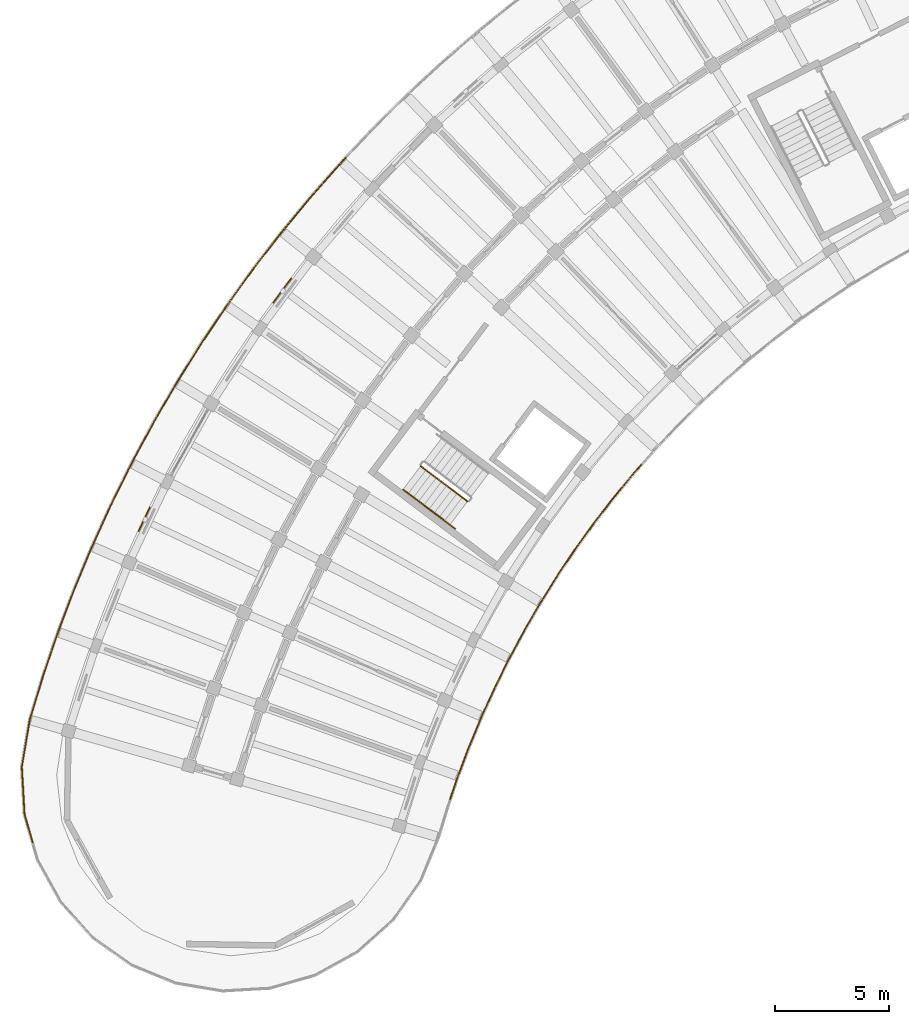
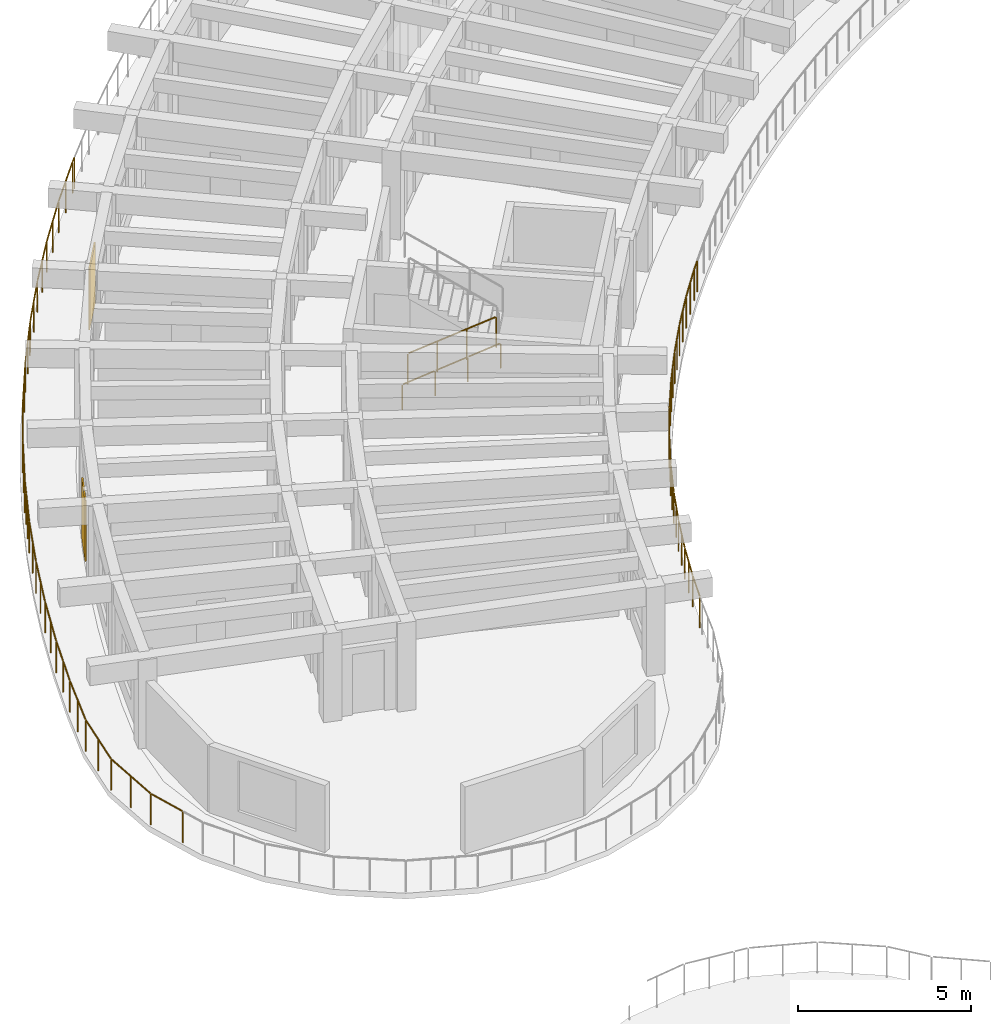
# One storey, part 66 of 78: 10 railings, 2 shading devices.
"""IFC4 building model written with IfcOpenShell, lengths in metres."""

from ifc_helpers import new_model, si_unit, direction, frame, origin, origin_2d, place, context, subcontext, project, spatial, rectangle, circle, extrude, material, layer, layer_set, type_object, element, save


model = new_model("IFC4")

# Units and contexts
model_context = context("Model", 3, precision=1e-05, world=origin(), true_north=direction((0.0, 1.0)))
body_context = subcontext(model_context, "Body", "Model", "MODEL_VIEW")
ifc_project = project(units=[si_unit("LENGTHUNIT", "METRE"), si_unit("AREAUNIT", "SQUARE_METRE"), si_unit("VOLUMEUNIT", "CUBIC_METRE"), si_unit("PLANEANGLEUNIT", "RADIAN"), si_unit("MASSUNIT", "GRAM", prefix="KILO")], contexts=[model_context])

# Site, building, storey
site_placement = place(None, origin())
site = spatial("IfcSite", under=ifc_project, at=site_placement, CompositionType="ELEMENT")
building_placement = place(site_placement, origin())
building = spatial("IfcBuilding", under=site, at=building_placement, Name="Tanwirah Colonnade Gardens", CompositionType="ELEMENT")
storey_placement = place(building_placement, frame((0.0, 0.0, 22.280029296875)))
storey = spatial("IfcBuildingStorey", under=building, at=storey_placement, Name="L06", CompositionType="ELEMENT", Elevation=22.280029296875)

# Railings
ifc_material_1 = material(Name="Precast concrete C40/50", Category="concrete")
railing_type_1 = type_object("IfcRailingType", Name="BAL-EXT112", PredefinedType="BALUSTRADE", material=ifc_material_1)
railing_1_placement = place(storey_placement, frame((32.869384765625, 88.28515625, 0.0)))
element("IfcRailing", 1, at=railing_1_placement, inside=storey, type_object=railing_type_1, Name="Block A L06 Balcony Ribbon Balustrade 5", PredefinedType="BALUSTRADE", context=body_context, shape_type="SweptSolid", body=[
    extrude(circle(Radius=0.02392578125, at=origin_2d()), frame((-0.020751953125, -0.0234375, 1.09619140625), z_axis=(-0.662562077046, -0.749007005348, 0.0), x_axis=(0.749007005348, -0.662562077046, 0.0)), (0.0, 0.0, 1.0), 0.3837890625),
    extrude(circle(Radius=0.02392578125, at=origin_2d()), frame((-0.3173828125, -0.3603515625, 1.09619140625), z_axis=(-0.637581943595, -0.770382544715, 0.0), x_axis=(0.770382544715, -0.637581943595, 0.0)), (0.0, 0.0, 1.0), 1.342041015625),
    extrude(circle(Radius=0.02392578125, at=origin_2d()), frame((-1.213623046875, -1.44482421875, 1.09619140625), z_axis=(-0.611783903817, -0.791024939576, 0.0), x_axis=(0.791024939576, -0.611783903817, 0.0)), (0.0, 0.0, 1.0), 1.341796875),
    extrude(circle(Radius=0.02392578125, at=origin_2d()), frame((-2.073486328125, -2.55859375, 1.09619140625), z_axis=(-0.585522290474, -0.810656306556, 0.0), x_axis=(0.810656306556, -0.585522290474, 0.0)), (0.0, 0.0, 1.0), 1.341796875),
    extrude(circle(Radius=0.02392578125, at=origin_2d()), frame((-2.896484375, -3.69970703125, 1.09619140625), z_axis=(-0.558385571779, -0.829581553091, 0.0), x_axis=(0.829581553091, -0.558385571779, 0.0)), (0.0, 0.0, 1.0), 1.341796875),
    extrude(circle(Radius=0.02392578125, at=origin_2d()), frame((-3.68115234375, -4.86767578125, 1.09619140625), z_axis=(-0.530764445851, -0.847519382091, 0.0), x_axis=(0.847519382091, -0.530764445851, 0.0)), (0.0, 0.0, 1.0), 1.341796875),
    extrude(circle(Radius=0.02392578125, at=origin_2d()), frame((-4.427001953125, -6.060546875, 1.09619140625), z_axis=(-0.502361540351, -0.864657667968, 0.0), x_axis=(0.864657667968, -0.502361540351, 0.0)), (0.0, 0.0, 1.0), 0.95361328125),
    extrude(circle(Radius=0.02099609375, at=origin_2d()), origin(), (0.0, 0.0, 1.0), 1.069091796875),
    extrude(circle(Radius=0.02099609375, at=origin_2d()), frame((-0.295654296875, -0.334228515625, 0.0)), (0.0, 0.0, 1.0), 1.069091796875),
    extrude(circle(Radius=0.02099609375, at=origin_2d()), frame((-0.7451171875, -0.877197265625, 0.0)), (0.0, 0.0, 1.0), 1.069091796875),
    extrude(circle(Radius=0.02099609375, at=origin_2d()), frame((-1.19287109375, -1.418212890625, 0.0)), (0.0, 0.0, 1.0), 1.069091796875),
    extrude(circle(Radius=0.02099609375, at=origin_2d()), frame((-1.6240234375, -1.9755859375, 0.0)), (0.0, 0.0, 1.0), 1.069091796875),
    extrude(circle(Radius=0.02099609375, at=origin_2d()), frame((-2.0537109375, -2.531005859375, 0.0)), (0.0, 0.0, 1.0), 1.069091796875),
    extrude(circle(Radius=0.02099609375, at=origin_2d()), frame((-2.46630859375, -3.1025390625, 0.0)), (0.0, 0.0, 1.0), 1.069091796875),
    extrude(circle(Radius=0.02099609375, at=origin_2d()), frame((-2.87744140625, -3.671630859375, 0.0)), (0.0, 0.0, 1.0), 1.069091796875),
    extrude(circle(Radius=0.02099609375, at=origin_2d()), frame((-3.27099609375, -4.25634765625, 0.0)), (0.0, 0.0, 1.0), 1.069091796875),
    extrude(circle(Radius=0.02099609375, at=origin_2d()), frame((-3.6630859375, -4.8388671875, 0.0)), (0.0, 0.0, 1.0), 1.069091796875),
    extrude(circle(Radius=0.02099609375, at=origin_2d()), frame((-4.037109375, -5.43603515625, 0.0)), (0.0, 0.0, 1.0), 1.069091796875),
    extrude(circle(Radius=0.02099609375, at=origin_2d()), frame((-4.409912109375, -6.03125, 0.0)), (0.0, 0.0, 1.0), 1.069091796875),
    extrude(circle(Radius=0.02099609375, at=origin_2d()), frame((-4.921875, -6.912109375, 0.0)), (0.0, 0.0, 1.0), 1.069091796875),
])
railing_2_placement = place(storey_placement, frame((27.947509765625, 81.373046875, 0.0)))
element("IfcRailing", 2, at=railing_2_placement, inside=storey, type_object=railing_type_1, Name="Block A L06 Balcony Ribbon Balustrade 6", PredefinedType="BALUSTRADE", context=body_context, shape_type="SweptSolid", body=[
    extrude(circle(Radius=0.02392578125, at=origin_2d()), frame((-0.015625, -0.027099609375, 1.09619140625), z_axis=(-0.502423717067, -0.864621540634, 0.0), x_axis=(0.864621540634, -0.502423717067, 0.0)), (0.0, 0.0, 1.0), 0.32568359375),
    extrude(circle(Radius=0.02392578125, at=origin_2d()), frame((-0.211181640625, -0.365478515625, 1.09619140625), z_axis=(-0.473716211853, -0.880677552018, 0.0), x_axis=(0.880677552018, -0.473716211853, 0.0)), (0.0, 0.0, 1.0), 1.341796875),
    extrude(circle(Radius=0.02392578125, at=origin_2d()), frame((-0.876708984375, -1.60498046875, 1.09619140625), z_axis=(-0.444499692011, -0.895779003885, 0.0), x_axis=(0.895779003885, -0.444499692011, 0.0)), (0.0, 0.0, 1.0), 1.341796875),
    extrude(circle(Radius=0.02392578125, at=origin_2d()), frame((-1.501220703125, -2.865966796875, 1.09619140625), z_axis=(-0.414654197084, -0.909979063957, 0.0), x_axis=(0.909979063957, -0.414654197084, 0.0)), (0.0, 0.0, 1.0), 1.341796875),
    extrude(circle(Radius=0.02392578125, at=origin_2d()), frame((-2.08349609375, -4.146484375, 1.09619140625), z_axis=(-0.384541319971, -0.923107779858, 0.0), x_axis=(0.923107779858, -0.384541319971, 0.0)), (0.0, 0.0, 1.0), 1.341796875),
    extrude(circle(Radius=0.02392578125, at=origin_2d()), frame((-2.62353515625, -5.44580078125, 1.09619140625), z_axis=(-0.353789339155, -0.935325132508, 0.0), x_axis=(0.935325132508, -0.353789339155, 0.0)), (0.0, 0.0, 1.0), 1.341796875),
    extrude(circle(Radius=0.02392578125, at=origin_2d()), frame((-3.120361328125, -6.761962890625, 1.09619140625), z_axis=(-0.322900627553, -0.946432873862, 0.0), x_axis=(0.946432873862, -0.322900627553, 0.0)), (0.0, 0.0, 1.0), 1.011962890625),
    extrude(circle(Radius=0.02099609375, at=origin_2d()), origin(), (0.0, 0.0, 1.0), 1.069091796875),
    extrude(circle(Radius=0.02099609375, at=origin_2d()), frame((-0.195068359375, -0.335693359375, 0.0)), (0.0, 0.0, 1.0), 1.069091796875),
    extrude(circle(Radius=0.02099609375, at=origin_2d()), frame((-0.52880859375, -0.956298828125, 0.0)), (0.0, 0.0, 1.0), 1.069091796875),
    extrude(circle(Radius=0.02099609375, at=origin_2d()), frame((-0.861572265625, -1.57470703125, 0.0)), (0.0, 0.0, 1.0), 1.069091796875),
    extrude(circle(Radius=0.02099609375, at=origin_2d()), frame((-1.1748046875, -2.2060546875, 0.0)), (0.0, 0.0, 1.0), 1.069091796875),
    extrude(circle(Radius=0.02099609375, at=origin_2d()), frame((-1.487060546875, -2.8349609375, 0.0)), (0.0, 0.0, 1.0), 1.069091796875),
    extrude(circle(Radius=0.02099609375, at=origin_2d()), frame((-1.779296875, -3.476318359375, 0.0)), (0.0, 0.0, 1.0), 1.069091796875),
    extrude(circle(Radius=0.02099609375, at=origin_2d()), frame((-2.070556640625, -4.115234375, 0.0)), (0.0, 0.0, 1.0), 1.069091796875),
    extrude(circle(Radius=0.02099609375, at=origin_2d()), frame((-2.341552734375, -4.765869140625, 0.0)), (0.0, 0.0, 1.0), 1.069091796875),
    extrude(circle(Radius=0.02099609375, at=origin_2d()), frame((-2.611572265625, -5.4140625, 0.0)), (0.0, 0.0, 1.0), 1.069091796875),
    extrude(circle(Radius=0.02099609375, at=origin_2d()), frame((-2.86083984375, -6.0732421875, 0.0)), (0.0, 0.0, 1.0), 1.069091796875),
    extrude(circle(Radius=0.02099609375, at=origin_2d()), frame((-3.109375, -6.72998046875, 0.0)), (0.0, 0.0, 1.0), 1.069091796875),
    extrude(circle(Radius=0.02099609375, at=origin_2d()), frame((-3.457275390625, -7.749267578125, 0.0)), (0.0, 0.0, 1.0), 1.069091796875),
])
railing_3_placement = place(storey_placement, frame((6.184814453125, 71.72998046875, 0.0)))
element("IfcRailing", 3, at=railing_3_placement, inside=storey, type_object=railing_type_1, Name="Block A L06 Balcony Ribbon Balustrade 10", PredefinedType="BALUSTRADE", context=body_context, shape_type="SweptSolid", body=[
    extrude(circle(Radius=0.02392578125, at=origin_2d()), frame((-0.0087890625, 0.030029296875, 1.09619140625), z_axis=(-0.278016434724, 0.960576317646, 0.0), x_axis=(-0.960576317646, -0.278016434724, 0.0)), (0.0, 0.0, 1.0), 1.21875),
    extrude(circle(Radius=0.02392578125, at=origin_2d()), frame((-0.35791015625, 1.261962890625, 1.09619140625), z_axis=(-0.057322977065, 0.998355686266, 0.0), x_axis=(-0.998355686266, -0.057322977065, 0.0)), (0.0, 0.0, 1.0), 2.0244140625),
    extrude(circle(Radius=0.02392578125, at=origin_2d()), frame((-0.470703125, 3.344970703125, 1.09619140625), z_axis=(0.166292387508, 0.986076488847, 0.0), x_axis=(-0.986076488847, 0.166292387508, 0.0)), (0.0, 0.0, 1.0), 2.028076171875),
    extrude(circle(Radius=0.02392578125, at=origin_2d()), frame((-0.119140625, 5.405517578125, 1.09619140625), z_axis=(0.291363831298, 0.956612313224, 0.0), x_axis=(-0.956612313224, 0.291363831298, 0.0)), (0.0, 0.0, 1.0), 1.955078125),
    extrude(circle(Radius=0.02392578125, at=origin_2d()), frame((0.4697265625, 7.33544921875, 1.09619140625), z_axis=(0.322945869443, 0.946417437186, 0.0), x_axis=(-0.946417437186, 0.322945869443, 0.0)), (0.0, 0.0, 1.0), 0.961181640625),
    extrude(circle(Radius=0.02099609375, at=origin_2d()), origin(), (0.0, 0.0, 1.0), 1.069091796875),
    extrude(circle(Radius=0.02099609375, at=origin_2d()), frame((-0.356201171875, 1.230712890625, 0.0)), (0.0, 0.0, 1.0), 1.069091796875),
    extrude(circle(Radius=0.02099609375, at=origin_2d()), frame((-0.416015625, 2.2724609375, 0.0)), (0.0, 0.0, 1.0), 1.069091796875),
    extrude(circle(Radius=0.02099609375, at=origin_2d()), frame((-0.475830078125, 3.314208984375, 0.0)), (0.0, 0.0, 1.0), 1.069091796875),
    extrude(circle(Radius=0.02099609375, at=origin_2d()), frame((-0.302001953125, 4.344970703125, 0.0)), (0.0, 0.0, 1.0), 1.069091796875),
    extrude(circle(Radius=0.02099609375, at=origin_2d()), frame((-0.128173828125, 5.375732421875, 0.0)), (0.0, 0.0, 1.0), 1.069091796875),
    extrude(circle(Radius=0.02099609375, at=origin_2d()), frame((0.165771484375, 6.3408203125, 0.0)), (0.0, 0.0, 1.0), 1.069091796875),
    extrude(circle(Radius=0.02099609375, at=origin_2d()), frame((0.459716796875, 7.305908203125, 0.0)), (0.0, 0.0, 1.0), 1.069091796875),
    extrude(circle(Radius=0.02099609375, at=origin_2d()), frame((0.790283203125, 8.274658203125, 0.0)), (0.0, 0.0, 1.0), 1.069091796875),
])
railing_4_placement = place(storey_placement, frame((6.97509765625, 80.004638671875, 0.0)))
element("IfcRailing", 4, at=railing_4_placement, inside=storey, type_object=railing_type_1, Name="Block A L06 Balcony Ribbon Balustrade 11", PredefinedType="BALUSTRADE", context=body_context, shape_type="SweptSolid", body=[
    extrude(circle(Radius=0.02392578125, at=origin_2d()), frame((0.010009765625, 0.029541015625, 1.09619140625), z_axis=(0.322753642414, 0.946483008991, 0.0), x_axis=(-0.946483008991, 0.322753642414, 0.0)), (0.0, 0.0, 1.0), 0.935302734375),
    extrude(circle(Radius=0.02392578125, at=origin_2d()), frame((0.3330078125, 0.9736328125, 1.09619140625), z_axis=(0.353874964852, 0.935292739869, 0.0), x_axis=(-0.935292739869, 0.353874964852, 0.0)), (0.0, 0.0, 1.0), 1.958984375),
    extrude(circle(Radius=0.02392578125, at=origin_2d()), frame((1.04931640625, 2.86376953125, 1.09619140625), z_axis=(0.384409566544, 0.92316265368, 0.0), x_axis=(-0.92316265368, 0.384409566544, 0.0)), (0.0, 0.0, 1.0), 1.958984375),
    extrude(circle(Radius=0.02392578125, at=origin_2d()), frame((1.827392578125, 4.729736328125, 1.09619140625), z_axis=(0.414749084938, 0.909935820013, 0.0), x_axis=(-0.909935820013, 0.414749084938, 0.0)), (0.0, 0.0, 1.0), 1.958984375),
    extrude(circle(Radius=0.02392578125, at=origin_2d()), frame((2.666748046875, 6.568603515625, 1.09619140625), z_axis=(0.444426333087, 0.895815401999, 0.0), x_axis=(-0.895815401999, 0.444426333087, 0.0)), (0.0, 0.0, 1.0), 1.375),
    extrude(circle(Radius=0.02099609375, at=origin_2d()), origin(), (0.0, 0.0, 1.0), 1.069091796875),
    extrude(circle(Radius=0.02099609375, at=origin_2d()), frame((0.322021484375, 0.9443359375, 0.0)), (0.0, 0.0, 1.0), 1.069091796875),
    extrude(circle(Radius=0.02099609375, at=origin_2d()), frame((0.6796875, 1.8896484375, 0.0)), (0.0, 0.0, 1.0), 1.069091796875),
    extrude(circle(Radius=0.02099609375, at=origin_2d()), frame((1.037353515625, 2.8349609375, 0.0)), (0.0, 0.0, 1.0), 1.069091796875),
    extrude(circle(Radius=0.02099609375, at=origin_2d()), frame((1.42578125, 3.76806640625, 0.0)), (0.0, 0.0, 1.0), 1.069091796875),
    extrude(circle(Radius=0.02099609375, at=origin_2d()), frame((1.814453125, 4.701171875, 0.0)), (0.0, 0.0, 1.0), 1.069091796875),
    extrude(circle(Radius=0.02099609375, at=origin_2d()), frame((2.233642578125, 5.620849609375, 0.0)), (0.0, 0.0, 1.0), 1.069091796875),
    extrude(circle(Radius=0.02099609375, at=origin_2d()), frame((2.65283203125, 6.54052734375, 0.0)), (0.0, 0.0, 1.0), 1.069091796875),
    extrude(circle(Radius=0.02099609375, at=origin_2d()), frame((2.97216796875, 7.1845703125, 0.0)), (0.0, 0.0, 1.0), 1.069091796875),
    extrude(circle(Radius=0.02099609375, at=origin_2d()), frame((3.291748046875, 7.828369140625, 0.0)), (0.0, 0.0, 1.0), 1.069091796875),
])
railing_5_placement = place(storey_placement, frame((10.266845703125, 87.8330078125, 0.0)))
element("IfcRailing", 5, at=railing_5_placement, inside=storey, type_object=railing_type_1, Name="Block A L06 Balcony Ribbon Balustrade 12", PredefinedType="BALUSTRADE", context=body_context, shape_type="SweptSolid", body=[
    extrude(circle(Radius=0.02392578125, at=origin_2d()), frame((0.013916015625, 0.028076171875, 1.09619140625), z_axis=(0.444368714855, 0.895843984887, 0.0), x_axis=(-0.895843984887, 0.444368714855, 0.0)), (0.0, 0.0, 1.0), 0.521484375),
    extrude(circle(Radius=0.02392578125, at=origin_2d()), frame((0.2744140625, 0.55078125, 1.09619140625), z_axis=(0.473826102441, 0.88061843306, 0.0), x_axis=(-0.88061843306, 0.473826102441, 0.0)), (0.0, 0.0, 1.0), 1.958740234375),
    extrude(circle(Radius=0.02392578125, at=origin_2d()), frame((1.23291015625, 2.330322265625, 1.09619140625), z_axis=(0.502421024862, 0.864623105045, 0.0), x_axis=(-0.864623105045, 0.502421024862, 0.0)), (0.0, 0.0, 1.0), 1.958984375),
    extrude(circle(Radius=0.02392578125, at=origin_2d()), frame((2.24951171875, 4.07763671875, 1.09619140625), z_axis=(0.530812919598, 0.847489023167, 0.0), x_axis=(-0.847489023167, 0.530812919598, 0.0)), (0.0, 0.0, 1.0), 1.958984375),
    extrude(circle(Radius=0.02392578125, at=origin_2d()), frame((3.3232421875, 5.7900390625, 1.09619140625), z_axis=(0.558315298827, 0.829628849001, 0.0), x_axis=(-0.829628849001, 0.558315298827, 0.0)), (0.0, 0.0, 1.0), 1.789306640625),
    extrude(circle(Radius=0.02099609375, at=origin_2d()), origin(), (0.0, 0.0, 1.0), 1.069091796875),
    extrude(circle(Radius=0.02099609375, at=origin_2d()), frame((0.259521484375, 0.523193359375, 0.0)), (0.0, 0.0, 1.0), 1.069091796875),
    extrude(circle(Radius=0.02099609375, at=origin_2d()), frame((0.73828125, 1.4130859375, 0.0)), (0.0, 0.0, 1.0), 1.069091796875),
    extrude(circle(Radius=0.02099609375, at=origin_2d()), frame((1.21728515625, 2.30322265625, 0.0)), (0.0, 0.0, 1.0), 1.069091796875),
    extrude(circle(Radius=0.02099609375, at=origin_2d()), frame((1.72509765625, 3.17724609375, 0.0)), (0.0, 0.0, 1.0), 1.069091796875),
    extrude(circle(Radius=0.02099609375, at=origin_2d()), frame((2.23291015625, 4.051025390625, 0.0)), (0.0, 0.0, 1.0), 1.069091796875),
    extrude(circle(Radius=0.02099609375, at=origin_2d()), frame((2.76953125, 4.90771484375, 0.0)), (0.0, 0.0, 1.0), 1.069091796875),
    extrude(circle(Radius=0.02099609375, at=origin_2d()), frame((3.305908203125, 5.76416015625, 0.0)), (0.0, 0.0, 1.0), 1.069091796875),
    extrude(circle(Radius=0.02099609375, at=origin_2d()), frame((3.82275390625, 6.5322265625, 0.0)), (0.0, 0.0, 1.0), 1.069091796875),
    extrude(circle(Radius=0.02099609375, at=origin_2d()), frame((4.33984375, 7.300537109375, 0.0)), (0.0, 0.0, 1.0), 1.069091796875),
])
railing_6_placement = place(storey_placement, frame((14.606689453125, 95.133544921875, 0.0)))
element("IfcRailing", 6, at=railing_6_placement, inside=storey, type_object=railing_type_1, Name="Block A L06 Balcony Ribbon Balustrade 13", PredefinedType="BALUSTRADE", context=body_context, shape_type="SweptSolid", body=[
    extrude(circle(Radius=0.02392578125, at=origin_2d()), frame((0.017578125, 0.02587890625, 1.09619140625), z_axis=(0.558681242275, 0.829382462758, 0.0), x_axis=(-0.829382462758, 0.558681242275, 0.0)), (0.0, 0.0, 1.0), 0.10693359375),
    extrude(circle(Radius=0.02392578125, at=origin_2d()), frame((0.113037109375, 0.166015625, 1.09619140625), z_axis=(0.585468507287, 0.810695150457, 0.0), x_axis=(-0.810695150457, 0.585468507287, 0.0)), (0.0, 0.0, 1.0), 1.958984375),
    extrude(circle(Radius=0.02392578125, at=origin_2d()), frame((1.29736328125, 1.80419921875, 1.09619140625), z_axis=(0.611856467608, 0.790968812942, 0.0), x_axis=(-0.790968812942, 0.611856467608, 0.0)), (0.0, 0.0, 1.0), 1.958984375),
    extrude(circle(Radius=0.02392578125, at=origin_2d()), frame((2.53515625, 3.402587890625, 1.09619140625), z_axis=(0.637555355491, 0.770404548717, 0.0), x_axis=(-0.770404548717, 0.637555355491, 0.0)), (0.0, 0.0, 1.0), 1.958984375),
    extrude(circle(Radius=0.02392578125, at=origin_2d()), frame((3.82470703125, 4.959228515625, 1.09619140625), z_axis=(0.662607760508, 0.748966591854, 0.0), x_axis=(-0.748966591854, 0.662607760508, 0.0)), (0.0, 0.0, 1.0), 1.958740234375),
    extrude(circle(Radius=0.02392578125, at=origin_2d()), frame((5.164794921875, 6.472412109375, 1.09619140625), z_axis=(0.686858017599, 0.726791623273, 0.0), x_axis=(-0.726791623273, 0.686858017599, 0.0)), (0.0, 0.0, 1.0), 0.18212890625),
    extrude(circle(Radius=0.02099609375, at=origin_2d()), origin(), (0.0, 0.0, 1.0), 1.069091796875),
    extrude(circle(Radius=0.02099609375, at=origin_2d()), frame((0.0947265625, 0.140625, 0.0)), (0.0, 0.0, 1.0), 1.069091796875),
    extrude(circle(Radius=0.02099609375, at=origin_2d()), frame((0.6865234375, 0.9599609375, 0.0)), (0.0, 0.0, 1.0), 1.069091796875),
    extrude(circle(Radius=0.02099609375, at=origin_2d()), frame((1.2783203125, 1.779541015625, 0.0)), (0.0, 0.0, 1.0), 1.069091796875),
    extrude(circle(Radius=0.02099609375, at=origin_2d()), frame((1.896728515625, 2.5791015625, 0.0)), (0.0, 0.0, 1.0), 1.069091796875),
    extrude(circle(Radius=0.02099609375, at=origin_2d()), frame((2.51513671875, 3.37841796875, 0.0)), (0.0, 0.0, 1.0), 1.069091796875),
    extrude(circle(Radius=0.02099609375, at=origin_2d()), frame((3.15966796875, 4.1572265625, 0.0)), (0.0, 0.0, 1.0), 1.069091796875),
    extrude(circle(Radius=0.02099609375, at=origin_2d()), frame((3.803955078125, 4.935791015625, 0.0)), (0.0, 0.0, 1.0), 1.069091796875),
    extrude(circle(Radius=0.02099609375, at=origin_2d()), frame((4.4736328125, 5.69287109375, 0.0)), (0.0, 0.0, 1.0), 1.069091796875),
    extrude(circle(Radius=0.02099609375, at=origin_2d()), frame((5.143310546875, 6.44970703125, 0.0)), (0.0, 0.0, 1.0), 1.069091796875),
    extrude(circle(Radius=0.02099609375, at=origin_2d()), frame((5.311279296875, 6.62744140625, 0.0)), (0.0, 0.0, 1.0), 1.069091796875),
])
ifc_material_2 = material(Name="Powder-coated galvanized steel", Category="steel")
railing_type_2 = type_object("IfcRailingType", Name="GRD-ST110", PredefinedType="GUARDRAIL", material=ifc_material_2)
railing_7_placement = place(storey_placement, frame((23.201416015625, 88.22900390625, 0.16796875)))
element("IfcRailing", 7, at=railing_7_placement, inside=storey, type_object=railing_type_2, Name="L06 ST-A2 stair guard 1", PredefinedType="GUARDRAIL", context=body_context, shape_type="SweptSolid", body=[
    extrude(circle(Radius=0.02392578125, at=origin_2d()), frame((0.021484375, -0.01611328125, 1.092041015625), z_axis=(0.688012363654, -0.518448596756, 0.507789365762), x_axis=(0.601810650199, 0.798638805285, 0.0)), (0.0, 0.0, 1.0), 2.9150390625),
    extrude(circle(Radius=0.02099609375, at=origin_2d()), origin(), (0.0, 0.0, 1.0), 1.049072265625),
    extrude(circle(Radius=0.02099609375, at=origin_2d()), frame((0.682861328125, -0.5146484375, 0.50390625)), (0.0, 0.0, 1.0), 1.049072265625),
    extrude(circle(Radius=0.02099609375, at=origin_2d()), frame((1.36572265625, -1.029052734375, 1.008056640625)), (0.0, 0.0, 1.0), 1.049072265625),
    extrude(circle(Radius=0.02099609375, at=origin_2d()), frame((2.048583984375, -1.543701171875, 1.511962890625)), (0.0, 0.0, 1.0), 1.049072265625),
])
ifc_material_3 = material(Name="Brushed bronze stainless steel", Category="steel")
railing_type_3 = type_object("IfcRailingType", Name="HR-ST090", PredefinedType="HANDRAIL", material=ifc_material_3)
railing_8_placement = place(storey_placement, frame((22.43115234375, 87.206787109375, 0.16796875)))
element("IfcRailing", 8, at=railing_8_placement, inside=storey, type_object=railing_type_3, Name="L06 ST-A2 stair handrail 1", PredefinedType="HANDRAIL", context=body_context, shape_type="SweptSolid", body=[
    extrude(circle(Radius=0.02392578125, at=origin_2d()), frame((0.021484375, -0.01611328125, 0.891845703125), z_axis=(0.686145346169, -0.517037451972, 0.51173903231), x_axis=(0.601807485929, 0.798641189696, 0.0)), (0.0, 0.0, 1.0), 1.04345703125),
    extrude(circle(Radius=0.02099609375, at=origin_2d()), origin(), (0.0, 0.0, 1.0), 0.848876953125),
    extrude(circle(Radius=0.02099609375, at=origin_2d()), frame((0.7587890625, -0.57177734375, 0.56591796875)), (0.0, 0.0, 1.0), 0.848876953125),
])
railing_9_placement = place(storey_placement, frame((23.18994140625, 86.635009765625, 0.73388671875)))
element("IfcRailing", 9, at=railing_9_placement, inside=storey, type_object=railing_type_3, Name="L06 ST-A2 stair handrail 2", PredefinedType="HANDRAIL", context=body_context, shape_type="SweptSolid", body=[
    extrude(circle(Radius=0.02392578125, at=origin_2d()), frame((0.021484375, -0.01611328125, 0.891845703125), z_axis=(0.686067825084, -0.516979036791, 0.511901958292), x_axis=(0.601807485929, 0.798641189696, 0.0)), (0.0, 0.0, 1.0), 1.04345703125),
    extrude(circle(Radius=0.02099609375, at=origin_2d()), origin(), (0.0, 0.0, 1.0), 0.848876953125),
    extrude(circle(Radius=0.02099609375, at=origin_2d()), frame((0.7587890625, -0.57177734375, 0.566162109375)), (0.0, 0.0, 1.0), 0.848876953125),
])
railing_10_placement = place(storey_placement, frame((23.94873046875, 86.063232421875, 1.300048828125)))
element("IfcRailing", 10, at=railing_10_placement, inside=storey, type_object=railing_type_3, Name="L06 ST-A2 stair handrail 3", PredefinedType="HANDRAIL", context=body_context, shape_type="SweptSolid", body=[
    extrude(circle(Radius=0.02392578125, at=origin_2d()), frame((0.021484375, -0.01611328125, 0.891845703125), z_axis=(0.686028488458, -0.517115777267, 0.511816554955), x_axis=(0.601931007785, 0.798548096152, 0.0)), (0.0, 0.0, 1.0), 1.043212890625),
    extrude(circle(Radius=0.02099609375, at=origin_2d()), origin(), (0.0, 0.0, 1.0), 0.848876953125),
    extrude(circle(Radius=0.02099609375, at=origin_2d()), frame((0.758544921875, -0.57177734375, 0.56591796875)), (0.0, 0.0, 1.0), 0.848876953125),
])

# Shading devices
ifc_material_4 = material(Name="Perforated architectural bronze aluminium", Category="aluminium")
ifc_layer = layer(ifc_material_4, 0.044921875)
ifc_layer_set = layer_set([ifc_layer], Name="Perforated architectural bronze aluminium")
shading_device_type = type_object("IfcShadingDeviceType", Name="SHD-MSH1", PredefinedType="JALOUSIE", material=ifc_layer_set)
shading_device_1_placement = place(storey_placement, frame((17.12890625, 95.93017578125, 0.0), z_axis=(0.0, 0.0, 1.0), x_axis=(-0.598713571255, -0.800963207392, 0.0)))
element("IfcShadingDevice", 11, at=shading_device_1_placement, inside=storey, type_object=shading_device_type, Name="Bronze mashrabiya solar screen A-L06-12", PredefinedType="JALOUSIE", context=body_context, shape_type="SweptSolid", body=[
    extrude(rectangle(XDim=1.35009765625, YDim=0.044921875, at=origin_2d()), origin(), (0.0, 0.0, 1.0), 2.14990234375),
])
shading_device_2_placement = place(storey_placement, frame((11.077392578125, 85.90283203125, 0.0), z_axis=(0.0, 0.0, 1.0), x_axis=(-0.429636092721, -0.903002119506, 0.0)))
element("IfcShadingDevice", 12, at=shading_device_2_placement, inside=storey, type_object=shading_device_type, Name="Bronze mashrabiya solar screen A-L06-15", PredefinedType="JALOUSIE", context=body_context, shape_type="SweptSolid", body=[
    extrude(rectangle(XDim=1.179931640625, YDim=0.044921875, at=origin_2d()), origin(), (0.0, 0.0, 1.0), 2.1298828125),
])

save(model, "model.ifc")
